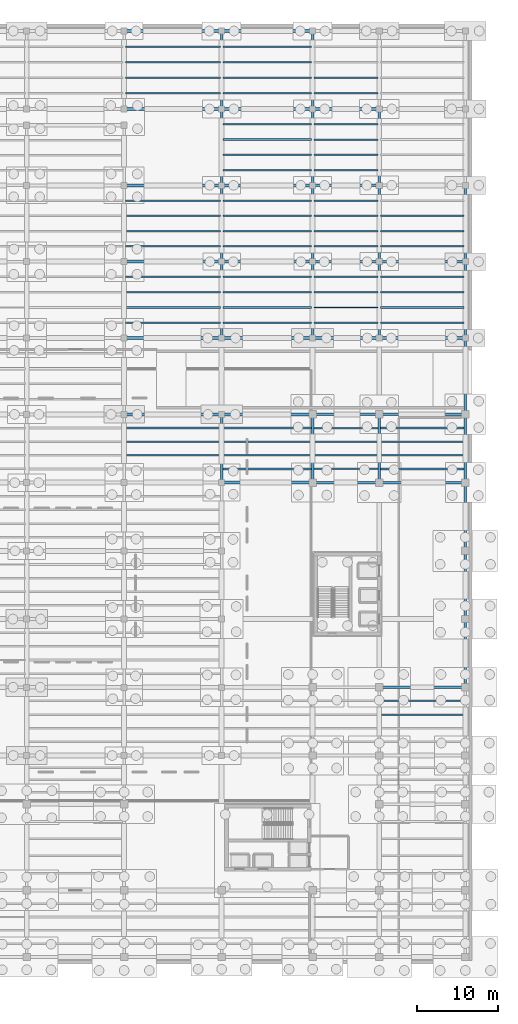
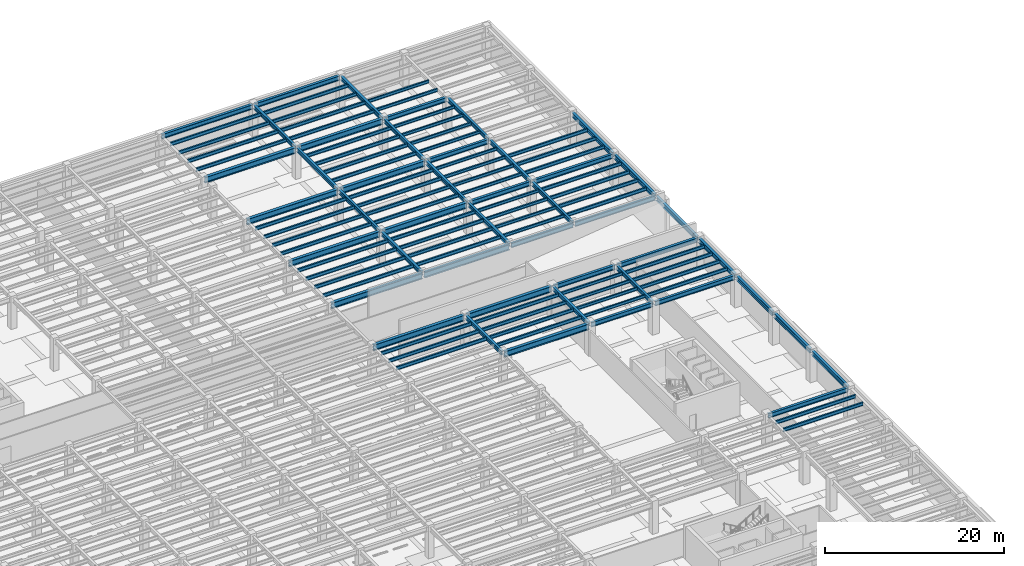
# One storey, part 27 of 49: 111 beams.
"""IFC4 building model written with IfcOpenShell, lengths in metres."""

from ifc_helpers import new_model, si_unit, direction, frame, origin, origin_2d, place, context, subcontext, project, spatial, i_section, extrude, material, material_profile, profile_set, type_object, element, save


model = new_model("IFC4")

# Units and contexts
model_context = context("Model", 3, precision=1e-05, world=origin(), true_north=direction((0.0, 1.0)))
body_context = subcontext(model_context, "Body", "Model", "MODEL_VIEW")
ifc_project = project(units=[si_unit("LENGTHUNIT", "METRE"), si_unit("AREAUNIT", "SQUARE_METRE"), si_unit("VOLUMEUNIT", "CUBIC_METRE"), si_unit("PLANEANGLEUNIT", "RADIAN"), si_unit("MASSUNIT", "GRAM", prefix="KILO")], contexts=[model_context])

# Site, building, storey
site_placement = place(None, origin())
site = spatial("IfcSite", under=ifc_project, at=site_placement, CompositionType="ELEMENT")
building_placement = place(site_placement, origin())
building = spatial("IfcBuilding", under=site, at=building_placement, Name="Sollismere Congress Hotel", CompositionType="ELEMENT")
storey_placement = place(building_placement, frame((0.0, 0.0, -4.5)))
storey = spatial("IfcBuildingStorey", under=building, at=storey_placement, Name="B1", CompositionType="ELEMENT", Elevation=-4.5)

# Beams
ifc_material = material(Name="Steel ASTM A992 Grade 50", Category="steel")
ifc_material_profile_1 = material_profile(ifc_material, i_section(OverallWidth=0.31494140625, OverallDepth=0.551025390625, WebThickness=0.01513671875, FlangeThickness=0.0244140625, at=origin_2d()), Name="W21X122")
ifc_profile_set_1 = profile_set([ifc_material_profile_1], Name="Steel ASTM A992 Grade 50")
beam_type_1 = type_object("IfcBeamType", Name="BM-G21H", PredefinedType="BEAM", material=ifc_profile_set_1)
beam_1_placement = place(storey_placement, frame((136.0, 58.5400390625, 3.924560546875), z_axis=(0.0, 1.0, 0.0), x_axis=(-1.0, 0.0, 0.0)))
element("IfcBeam", 1, at=beam_1_placement, inside=storey, type_object=beam_type_1, Name="Beam BM-B1-0426", PredefinedType="BEAM", context=body_context, shape_type="SweptSolid", body=[
    extrude(i_section(OverallWidth=0.31494140625, OverallDepth=0.551025390625, WebThickness=0.01513671875, FlangeThickness=0.0244140625, at=origin_2d()), origin(), (0.0, 0.0, 1.0), 8.119873046875),
])
beam_2_placement = place(storey_placement, frame((136.0, 76.340087890625, 3.924560546875), z_axis=(0.0, 1.0, 0.0), x_axis=(-1.0, 0.0, 0.0)))
element("IfcBeam", 2, at=beam_2_placement, inside=storey, type_object=beam_type_1, Name="Beam BM-B1-0427", PredefinedType="BEAM", context=body_context, shape_type="SweptSolid", body=[
    extrude(i_section(OverallWidth=0.31494140625, OverallDepth=0.551025390625, WebThickness=0.01513671875, FlangeThickness=0.0244140625, at=origin_2d()), origin(), (0.0, 0.0, 1.0), 9.119873046875),
])
for number, where, z_axis, x_axis, name in (
    (3, (136.0, 85.739990234375, 3.924560546875), (0.0, 1.0, 0.0), (-1.0, 0.0, 0.0), "Beam BM-B1-0428"),
    (4, (136.0, 95.139892578125, 3.924560546875), (0.0, 1.0, 0.0), (-1.0, 0.0, 0.0), "Beam BM-B1-0429"),
):
    element("IfcBeam", number, at=place(storey_placement, frame(where, z_axis=z_axis, x_axis=x_axis)), inside=storey, type_object=beam_type_1, Name=name, PredefinedType="BEAM", context=body_context, shape_type="SweptSolid", body=[
        extrude(i_section(OverallWidth=0.31494140625, OverallDepth=0.551025390625, WebThickness=0.01513671875, FlangeThickness=0.0244140625, at=origin_2d()), origin(), (0.0, 0.0, 1.0), 9.1201171875),
    ])
beam_3_placement = place(storey_placement, frame((136.0, 104.5400390625, 3.924560546875), z_axis=(0.0, 1.0, 0.0), x_axis=(-1.0, 0.0, 0.0)))
element("IfcBeam", 5, at=beam_3_placement, inside=storey, type_object=beam_type_1, Name="Beam BM-B1-0430", PredefinedType="BEAM", context=body_context, shape_type="SweptSolid", body=[
    extrude(i_section(OverallWidth=0.31494140625, OverallDepth=0.551025390625, WebThickness=0.01513671875, FlangeThickness=0.0244140625, at=origin_2d()), origin(), (0.0, 0.0, 1.0), 9.320068359375),
])
beam_4_placement = place(storey_placement, frame((147.199951171875, 58.5400390625, 3.924560546875), z_axis=(0.0, 1.0, 0.0), x_axis=(-1.0, 0.0, 0.0)))
element("IfcBeam", 6, at=beam_4_placement, inside=storey, type_object=beam_type_1, Name="Beam BM-B1-0433", PredefinedType="BEAM", context=body_context, shape_type="SweptSolid", body=[
    extrude(i_section(OverallWidth=0.31494140625, OverallDepth=0.551025390625, WebThickness=0.01513671875, FlangeThickness=0.0244140625, at=origin_2d()), origin(), (0.0, 0.0, 1.0), 8.119873046875),
])
beam_5_placement = place(storey_placement, frame((147.199951171875, 76.340087890625, 3.924560546875), z_axis=(0.0, 1.0, 0.0), x_axis=(-1.0, 0.0, 0.0)))
element("IfcBeam", 7, at=beam_5_placement, inside=storey, type_object=beam_type_1, Name="Beam BM-B1-0434", PredefinedType="BEAM", context=body_context, shape_type="SweptSolid", body=[
    extrude(i_section(OverallWidth=0.31494140625, OverallDepth=0.551025390625, WebThickness=0.01513671875, FlangeThickness=0.0244140625, at=origin_2d()), origin(), (0.0, 0.0, 1.0), 9.119873046875),
])
for number, where, z_axis, x_axis, name in (
    (8, (147.199951171875, 85.739990234375, 3.924560546875), (0.0, 1.0, 0.0), (-1.0, 0.0, 0.0), "Beam BM-B1-0435"),
    (9, (147.199951171875, 95.139892578125, 3.924560546875), (0.0, 1.0, 0.0), (-1.0, 0.0, 0.0), "Beam BM-B1-0436"),
):
    element("IfcBeam", number, at=place(storey_placement, frame(where, z_axis=z_axis, x_axis=x_axis)), inside=storey, type_object=beam_type_1, Name=name, PredefinedType="BEAM", context=body_context, shape_type="SweptSolid", body=[
        extrude(i_section(OverallWidth=0.31494140625, OverallDepth=0.551025390625, WebThickness=0.01513671875, FlangeThickness=0.0244140625, at=origin_2d()), origin(), (0.0, 0.0, 1.0), 9.1201171875),
    ])
beam_6_placement = place(storey_placement, frame((147.199951171875, 104.5400390625, 3.924560546875), z_axis=(0.0, 1.0, 0.0), x_axis=(-1.0, 0.0, 0.0)))
element("IfcBeam", 10, at=beam_6_placement, inside=storey, type_object=beam_type_1, Name="Beam BM-B1-0437", PredefinedType="BEAM", context=body_context, shape_type="SweptSolid", body=[
    extrude(i_section(OverallWidth=0.31494140625, OverallDepth=0.551025390625, WebThickness=0.01513671875, FlangeThickness=0.0244140625, at=origin_2d()), origin(), (0.0, 0.0, 1.0), 9.320068359375),
])
beam_7_placement = place(storey_placement, frame((155.39990234375, 58.5400390625, 3.924560546875), z_axis=(0.0, 1.0, 0.0), x_axis=(-1.0, 0.0, 0.0)))
element("IfcBeam", 11, at=beam_7_placement, inside=storey, type_object=beam_type_1, Name="Beam BM-B1-0442", PredefinedType="BEAM", context=body_context, shape_type="SweptSolid", body=[
    extrude(i_section(OverallWidth=0.31494140625, OverallDepth=0.551025390625, WebThickness=0.01513671875, FlangeThickness=0.0244140625, at=origin_2d()), origin(), (0.0, 0.0, 1.0), 8.119873046875),
])
beam_8_placement = place(storey_placement, frame((155.39990234375, 76.340087890625, 3.924560546875), z_axis=(0.0, 1.0, 0.0), x_axis=(-1.0, 0.0, 0.0)))
element("IfcBeam", 12, at=beam_8_placement, inside=storey, type_object=beam_type_1, Name="Beam BM-B1-0443", PredefinedType="BEAM", context=body_context, shape_type="SweptSolid", body=[
    extrude(i_section(OverallWidth=0.31494140625, OverallDepth=0.551025390625, WebThickness=0.01513671875, FlangeThickness=0.0244140625, at=origin_2d()), origin(), (0.0, 0.0, 1.0), 9.119873046875),
])
for number, where, z_axis, x_axis, name in (
    (13, (155.39990234375, 85.739990234375, 3.924560546875), (0.0, 1.0, 0.0), (-1.0, 0.0, 0.0), "Beam BM-B1-0444"),
    (14, (155.39990234375, 95.139892578125, 3.924560546875), (0.0, 1.0, 0.0), (-1.0, 0.0, 0.0), "Beam BM-B1-0445"),
):
    element("IfcBeam", number, at=place(storey_placement, frame(where, z_axis=z_axis, x_axis=x_axis)), inside=storey, type_object=beam_type_1, Name=name, PredefinedType="BEAM", context=body_context, shape_type="SweptSolid", body=[
        extrude(i_section(OverallWidth=0.31494140625, OverallDepth=0.551025390625, WebThickness=0.01513671875, FlangeThickness=0.0244140625, at=origin_2d()), origin(), (0.0, 0.0, 1.0), 9.1201171875),
    ])
ifc_material_profile_2 = material_profile(ifc_material, i_section(OverallWidth=0.324951171875, OverallDepth=0.612060546875, WebThickness=0.0126953125, FlangeThickness=0.01904296875, at=origin_2d()), Name="W24X104")
ifc_profile_set_2 = profile_set([ifc_material_profile_2], Name="Steel ASTM A992 Grade 50")
beam_type_2 = type_object("IfcBeamType", Name="BM-G24", PredefinedType="BEAM", material=ifc_profile_set_2)
beam_9_placement = place(storey_placement, frame((155.5400390625, 33.199951171875, 3.89404296875), z_axis=(1.0, 0.0, 0.0), x_axis=(0.0, 1.0, 0.0)))
element("IfcBeam", 15, at=beam_9_placement, inside=storey, type_object=beam_type_2, Name="Beam BM-B1-0081", PredefinedType="BEAM", context=body_context, shape_type="SweptSolid", body=[
    extrude(i_section(OverallWidth=0.324951171875, OverallDepth=0.612060546875, WebThickness=0.0126953125, FlangeThickness=0.01904296875, at=origin_2d()), origin(), (0.0, 0.0, 1.0), 10.320068359375),
])
beam_10_placement = place(storey_placement, frame((147.340087890625, 58.39990234375, 3.89404296875), z_axis=(1.0, 0.0, 0.0), x_axis=(0.0, 1.0, 0.0)))
element("IfcBeam", 16, at=beam_10_placement, inside=storey, type_object=beam_type_2, Name="Beam BM-B1-0125", PredefinedType="BEAM", context=body_context, shape_type="SweptSolid", body=[
    extrude(i_section(OverallWidth=0.324951171875, OverallDepth=0.612060546875, WebThickness=0.0126953125, FlangeThickness=0.01904296875, at=origin_2d()), origin(), (0.0, 0.0, 1.0), 7.919921875),
])
beam_11_placement = place(storey_placement, frame((155.5400390625, 58.39990234375, 3.89404296875), z_axis=(1.0, 0.0, 0.0), x_axis=(0.0, 1.0, 0.0)))
element("IfcBeam", 17, at=beam_11_placement, inside=storey, type_object=beam_type_2, Name="Beam BM-B1-0126", PredefinedType="BEAM", context=body_context, shape_type="SweptSolid", body=[
    extrude(i_section(OverallWidth=0.324951171875, OverallDepth=0.612060546875, WebThickness=0.0126953125, FlangeThickness=0.01904296875, at=origin_2d()), origin(), (0.0, 0.0, 1.0), 10.320068359375),
])
beam_12_placement = place(storey_placement, frame((147.340087890625, 66.800048828125, 3.89404296875), z_axis=(1.0, 0.0, 0.0), x_axis=(0.0, 1.0, 0.0)))
element("IfcBeam", 18, at=beam_12_placement, inside=storey, type_object=beam_type_2, Name="Beam BM-B1-0141", PredefinedType="BEAM", context=body_context, shape_type="SweptSolid", body=[
    extrude(i_section(OverallWidth=0.324951171875, OverallDepth=0.612060546875, WebThickness=0.0126953125, FlangeThickness=0.01904296875, at=origin_2d()), origin(), (0.0, 0.0, 1.0), 7.919921875),
])
beam_13_placement = place(storey_placement, frame((155.5400390625, 66.800048828125, 3.89404296875), z_axis=(1.0, 0.0, 0.0), x_axis=(0.0, 1.0, 0.0)))
element("IfcBeam", 19, at=beam_13_placement, inside=storey, type_object=beam_type_2, Name="Beam BM-B1-0142", PredefinedType="BEAM", context=body_context, shape_type="SweptSolid", body=[
    extrude(i_section(OverallWidth=0.324951171875, OverallDepth=0.612060546875, WebThickness=0.0126953125, FlangeThickness=0.01904296875, at=origin_2d()), origin(), (0.0, 0.0, 1.0), 10.320068359375),
])
beam_14_placement = place(storey_placement, frame((147.340087890625, 76.199951171875, 3.89404296875), z_axis=(1.0, 0.0, 0.0), x_axis=(0.0, 1.0, 0.0)))
element("IfcBeam", 20, at=beam_14_placement, inside=storey, type_object=beam_type_2, Name="Beam BM-B1-0155", PredefinedType="BEAM", context=body_context, shape_type="SweptSolid", body=[
    extrude(i_section(OverallWidth=0.324951171875, OverallDepth=0.612060546875, WebThickness=0.0126953125, FlangeThickness=0.01904296875, at=origin_2d()), origin(), (0.0, 0.0, 1.0), 7.919921875),
])
beam_15_placement = place(storey_placement, frame((155.5400390625, 76.199951171875, 3.89404296875), z_axis=(1.0, 0.0, 0.0), x_axis=(0.0, 1.0, 0.0)))
element("IfcBeam", 21, at=beam_15_placement, inside=storey, type_object=beam_type_2, Name="Beam BM-B1-0156", PredefinedType="BEAM", context=body_context, shape_type="SweptSolid", body=[
    extrude(i_section(OverallWidth=0.324951171875, OverallDepth=0.612060546875, WebThickness=0.0126953125, FlangeThickness=0.01904296875, at=origin_2d()), origin(), (0.0, 0.0, 1.0), 10.320068359375),
])
beam_16_placement = place(storey_placement, frame((147.340087890625, 85.60009765625, 3.89404296875), z_axis=(1.0, 0.0, 0.0), x_axis=(0.0, 1.0, 0.0)))
element("IfcBeam", 22, at=beam_16_placement, inside=storey, type_object=beam_type_2, Name="Beam BM-B1-0171", PredefinedType="BEAM", context=body_context, shape_type="SweptSolid", body=[
    extrude(i_section(OverallWidth=0.324951171875, OverallDepth=0.612060546875, WebThickness=0.0126953125, FlangeThickness=0.01904296875, at=origin_2d()), origin(), (0.0, 0.0, 1.0), 7.919921875),
])
beam_17_placement = place(storey_placement, frame((155.5400390625, 85.60009765625, 3.89404296875), z_axis=(1.0, 0.0, 0.0), x_axis=(0.0, 1.0, 0.0)))
element("IfcBeam", 23, at=beam_17_placement, inside=storey, type_object=beam_type_2, Name="Beam BM-B1-0172", PredefinedType="BEAM", context=body_context, shape_type="SweptSolid", body=[
    extrude(i_section(OverallWidth=0.324951171875, OverallDepth=0.612060546875, WebThickness=0.0126953125, FlangeThickness=0.01904296875, at=origin_2d()), origin(), (0.0, 0.0, 1.0), 10.320068359375),
])
for number, where, z_axis, x_axis, name in (
    (24, (147.340087890625, 95.0, 3.89404296875), (1.0, 0.0, 0.0), (0.0, 1.0, 0.0), "Beam BM-B1-0190"),
    (25, (147.340087890625, 104.39990234375, 3.89404296875), (1.0, 0.0, 0.0), (0.0, 1.0, 0.0), "Beam BM-B1-0206"),
):
    element("IfcBeam", number, at=place(storey_placement, frame(where, z_axis=z_axis, x_axis=x_axis)), inside=storey, type_object=beam_type_2, Name=name, PredefinedType="BEAM", context=body_context, shape_type="SweptSolid", body=[
        extrude(i_section(OverallWidth=0.324951171875, OverallDepth=0.612060546875, WebThickness=0.0126953125, FlangeThickness=0.01904296875, at=origin_2d()), origin(), (0.0, 0.0, 1.0), 7.919921875),
    ])
ifc_material_profile_3 = material_profile(ifc_material, i_section(OverallWidth=0.384033203125, OverallDepth=0.787109375, WebThickness=0.019775390625, FlangeThickness=0.033447265625, at=origin_2d()), Name="W30X211")
ifc_profile_set_3 = profile_set([ifc_material_profile_3], Name="Steel ASTM A992 Grade 50")
beam_type_3 = type_object("IfcBeamType", Name="BM-G30", PredefinedType="BEAM", material=ifc_profile_set_3)
beam_18_placement = place(storey_placement, frame((136.139892578125, 58.39990234375, 3.806396484375), z_axis=(1.0, 0.0, 0.0), x_axis=(0.0, 1.0, 0.0)))
element("IfcBeam", 26, at=beam_18_placement, inside=storey, type_object=beam_type_3, Name="Beam BM-B1-0124", PredefinedType="BEAM", context=body_context, shape_type="SweptSolid", body=[
    extrude(i_section(OverallWidth=0.384033203125, OverallDepth=0.787109375, WebThickness=0.019775390625, FlangeThickness=0.033447265625, at=origin_2d()), origin(), (0.0, 0.0, 1.0), 10.920166015625),
])
beam_19_placement = place(storey_placement, frame((124.139892578125, 66.800048828125, 3.806396484375), z_axis=(1.0, 0.0, 0.0), x_axis=(0.0, 1.0, 0.0)))
element("IfcBeam", 27, at=beam_19_placement, inside=storey, type_object=beam_type_3, Name="Beam BM-B1-0139", PredefinedType="BEAM", context=body_context, shape_type="SweptSolid", body=[
    extrude(i_section(OverallWidth=0.384033203125, OverallDepth=0.787109375, WebThickness=0.019775390625, FlangeThickness=0.033447265625, at=origin_2d()), origin(), (0.0, 0.0, 1.0), 11.72021484375),
])
beam_20_placement = place(storey_placement, frame((136.139892578125, 66.800048828125, 3.806396484375), z_axis=(1.0, 0.0, 0.0), x_axis=(0.0, 1.0, 0.0)))
element("IfcBeam", 28, at=beam_20_placement, inside=storey, type_object=beam_type_3, Name="Beam BM-B1-0140", PredefinedType="BEAM", context=body_context, shape_type="SweptSolid", body=[
    extrude(i_section(OverallWidth=0.384033203125, OverallDepth=0.787109375, WebThickness=0.019775390625, FlangeThickness=0.033447265625, at=origin_2d()), origin(), (0.0, 0.0, 1.0), 10.920166015625),
])
beam_21_placement = place(storey_placement, frame((124.139892578125, 76.199951171875, 3.806396484375), z_axis=(1.0, 0.0, 0.0), x_axis=(0.0, 1.0, 0.0)))
element("IfcBeam", 29, at=beam_21_placement, inside=storey, type_object=beam_type_3, Name="Beam BM-B1-0153", PredefinedType="BEAM", context=body_context, shape_type="SweptSolid", body=[
    extrude(i_section(OverallWidth=0.384033203125, OverallDepth=0.787109375, WebThickness=0.019775390625, FlangeThickness=0.033447265625, at=origin_2d()), origin(), (0.0, 0.0, 1.0), 11.72021484375),
])
beam_22_placement = place(storey_placement, frame((136.139892578125, 76.199951171875, 3.806396484375), z_axis=(1.0, 0.0, 0.0), x_axis=(0.0, 1.0, 0.0)))
element("IfcBeam", 30, at=beam_22_placement, inside=storey, type_object=beam_type_3, Name="Beam BM-B1-0154", PredefinedType="BEAM", context=body_context, shape_type="SweptSolid", body=[
    extrude(i_section(OverallWidth=0.384033203125, OverallDepth=0.787109375, WebThickness=0.019775390625, FlangeThickness=0.033447265625, at=origin_2d()), origin(), (0.0, 0.0, 1.0), 10.920166015625),
])
beam_23_placement = place(storey_placement, frame((124.139892578125, 85.60009765625, 3.806396484375), z_axis=(1.0, 0.0, 0.0), x_axis=(0.0, 1.0, 0.0)))
element("IfcBeam", 31, at=beam_23_placement, inside=storey, type_object=beam_type_3, Name="Beam BM-B1-0169", PredefinedType="BEAM", context=body_context, shape_type="SweptSolid", body=[
    extrude(i_section(OverallWidth=0.384033203125, OverallDepth=0.787109375, WebThickness=0.019775390625, FlangeThickness=0.033447265625, at=origin_2d()), origin(), (0.0, 0.0, 1.0), 11.72021484375),
])
beam_24_placement = place(storey_placement, frame((136.139892578125, 85.60009765625, 3.806396484375), z_axis=(1.0, 0.0, 0.0), x_axis=(0.0, 1.0, 0.0)))
element("IfcBeam", 32, at=beam_24_placement, inside=storey, type_object=beam_type_3, Name="Beam BM-B1-0170", PredefinedType="BEAM", context=body_context, shape_type="SweptSolid", body=[
    extrude(i_section(OverallWidth=0.384033203125, OverallDepth=0.787109375, WebThickness=0.019775390625, FlangeThickness=0.033447265625, at=origin_2d()), origin(), (0.0, 0.0, 1.0), 10.920166015625),
])
beam_25_placement = place(storey_placement, frame((124.139892578125, 95.0, 3.806396484375), z_axis=(1.0, 0.0, 0.0), x_axis=(0.0, 1.0, 0.0)))
element("IfcBeam", 33, at=beam_25_placement, inside=storey, type_object=beam_type_3, Name="Beam BM-B1-0188", PredefinedType="BEAM", context=body_context, shape_type="SweptSolid", body=[
    extrude(i_section(OverallWidth=0.384033203125, OverallDepth=0.787109375, WebThickness=0.019775390625, FlangeThickness=0.033447265625, at=origin_2d()), origin(), (0.0, 0.0, 1.0), 11.72021484375),
])
beam_26_placement = place(storey_placement, frame((136.139892578125, 95.0, 3.806396484375), z_axis=(1.0, 0.0, 0.0), x_axis=(0.0, 1.0, 0.0)))
element("IfcBeam", 34, at=beam_26_placement, inside=storey, type_object=beam_type_3, Name="Beam BM-B1-0189", PredefinedType="BEAM", context=body_context, shape_type="SweptSolid", body=[
    extrude(i_section(OverallWidth=0.384033203125, OverallDepth=0.787109375, WebThickness=0.019775390625, FlangeThickness=0.033447265625, at=origin_2d()), origin(), (0.0, 0.0, 1.0), 10.920166015625),
])
beam_27_placement = place(storey_placement, frame((124.139892578125, 104.39990234375, 3.806396484375), z_axis=(1.0, 0.0, 0.0), x_axis=(0.0, 1.0, 0.0)))
element("IfcBeam", 35, at=beam_27_placement, inside=storey, type_object=beam_type_3, Name="Beam BM-B1-0204", PredefinedType="BEAM", context=body_context, shape_type="SweptSolid", body=[
    extrude(i_section(OverallWidth=0.384033203125, OverallDepth=0.787109375, WebThickness=0.019775390625, FlangeThickness=0.033447265625, at=origin_2d()), origin(), (0.0, 0.0, 1.0), 11.72021484375),
])
beam_28_placement = place(storey_placement, frame((136.139892578125, 104.39990234375, 3.806396484375), z_axis=(1.0, 0.0, 0.0), x_axis=(0.0, 1.0, 0.0)))
element("IfcBeam", 36, at=beam_28_placement, inside=storey, type_object=beam_type_3, Name="Beam BM-B1-0205", PredefinedType="BEAM", context=body_context, shape_type="SweptSolid", body=[
    extrude(i_section(OverallWidth=0.384033203125, OverallDepth=0.787109375, WebThickness=0.019775390625, FlangeThickness=0.033447265625, at=origin_2d()), origin(), (0.0, 0.0, 1.0), 10.920166015625),
])
ifc_material_profile_4 = material_profile(ifc_material, i_section(OverallWidth=0.180908203125, OverallDepth=0.4169921875, WebThickness=0.010986328125, FlangeThickness=0.018310546875, at=origin_2d()), Name="W16X57")
ifc_profile_set_4 = profile_set([ifc_material_profile_4], Name="Steel ASTM A992 Grade 50")
beam_type_4 = type_object("IfcBeamType", Name="BM-J16", PredefinedType="JOIST", material=ifc_profile_set_4)
for number, where, z_axis, x_axis, name in (
    (37, (147.357421875, 60.080078125, 3.991455078125), (1.0, 0.0, 0.0), (0.0, 1.0, 0.0), "Beam BM-B1-1069"),
    (38, (147.357421875, 61.760009765625, 3.991455078125), (1.0, 0.0, 0.0), (0.0, 1.0, 0.0), "Beam BM-B1-1070"),
    (39, (147.357421875, 63.43994140625, 3.991455078125), (1.0, 0.0, 0.0), (0.0, 1.0, 0.0), "Beam BM-B1-1071"),
    (40, (147.357421875, 65.1201171875, 3.991455078125), (1.0, 0.0, 0.0), (0.0, 1.0, 0.0), "Beam BM-B1-1072"),
    (41, (147.357421875, 78.080078125, 3.991455078125), (1.0, 0.0, 0.0), (0.0, 1.0, 0.0), "Beam BM-B1-1073"),
    (42, (147.357421875, 79.9599609375, 3.991455078125), (1.0, 0.0, 0.0), (0.0, 1.0, 0.0), "Beam BM-B1-1074"),
    (43, (147.357421875, 81.840087890625, 3.991455078125), (1.0, 0.0, 0.0), (0.0, 1.0, 0.0), "Beam BM-B1-1075"),
    (44, (147.357421875, 83.719970703125, 3.991455078125), (1.0, 0.0, 0.0), (0.0, 1.0, 0.0), "Beam BM-B1-1076"),
    (45, (147.357421875, 87.47998046875, 3.991455078125), (1.0, 0.0, 0.0), (0.0, 1.0, 0.0), "Beam BM-B1-1077"),
    (46, (147.357421875, 89.360107421875, 3.991455078125), (1.0, 0.0, 0.0), (0.0, 1.0, 0.0), "Beam BM-B1-1078"),
    (47, (147.357421875, 91.239990234375, 3.991455078125), (1.0, 0.0, 0.0), (0.0, 1.0, 0.0), "Beam BM-B1-1079"),
    (48, (147.357421875, 93.1201171875, 3.991455078125), (1.0, 0.0, 0.0), (0.0, 1.0, 0.0), "Beam BM-B1-1080"),
    (49, (147.357421875, 96.8798828125, 3.991455078125), (1.0, 0.0, 0.0), (0.0, 1.0, 0.0), "Beam BM-B1-1081"),
    (50, (147.357421875, 98.760009765625, 3.991455078125), (1.0, 0.0, 0.0), (0.0, 1.0, 0.0), "Beam BM-B1-1082"),
    (51, (147.357421875, 100.639892578125, 3.991455078125), (1.0, 0.0, 0.0), (0.0, 1.0, 0.0), "Beam BM-B1-1083"),
    (52, (147.357421875, 102.52001953125, 3.991455078125), (1.0, 0.0, 0.0), (0.0, 1.0, 0.0), "Beam BM-B1-1084"),
    (53, (147.357421875, 106.320068359375, 3.991455078125), (1.0, 0.0, 0.0), (0.0, 1.0, 0.0), "Beam BM-B1-1085"),
    (54, (147.357421875, 108.239990234375, 3.991455078125), (1.0, 0.0, 0.0), (0.0, 1.0, 0.0), "Beam BM-B1-1086"),
):
    element("IfcBeam", number, at=place(storey_placement, frame(where, z_axis=z_axis, x_axis=x_axis)), inside=storey, type_object=beam_type_4, Name=name, PredefinedType="JOIST", context=body_context, shape_type="SweptSolid", body=[
        extrude(i_section(OverallWidth=0.180908203125, OverallDepth=0.4169921875, WebThickness=0.010986328125, FlangeThickness=0.018310546875, at=origin_2d()), origin(), (0.0, 0.0, 1.0), 7.885009765625),
    ])
ifc_material_profile_5 = material_profile(ifc_material, i_section(OverallWidth=0.193115234375, OverallDepth=0.467041015625, WebThickness=0.011474609375, FlangeThickness=0.01904296875, at=origin_2d()), Name="W18X65")
ifc_profile_set_5 = profile_set([ifc_material_profile_5], Name="Steel ASTM A992 Grade 50")
beam_type_5 = type_object("IfcBeamType", Name="BM-J18", PredefinedType="JOIST", material=ifc_profile_set_5)
for number, where, z_axis, x_axis, name in (
    (55, (124.157470703125, 61.760009765625, 3.966552734375), (1.0, 0.0, 0.0), (0.0, 1.0, 0.0), "Beam BM-B1-1018"),
    (56, (124.157470703125, 63.43994140625, 3.966552734375), (1.0, 0.0, 0.0), (0.0, 1.0, 0.0), "Beam BM-B1-1019"),
    (57, (124.157470703125, 65.1201171875, 3.966552734375), (1.0, 0.0, 0.0), (0.0, 1.0, 0.0), "Beam BM-B1-1020"),
    (58, (124.157470703125, 78.080078125, 3.966552734375), (1.0, 0.0, 0.0), (0.0, 1.0, 0.0), "Beam BM-B1-1021"),
    (59, (124.157470703125, 79.9599609375, 3.966552734375), (1.0, 0.0, 0.0), (0.0, 1.0, 0.0), "Beam BM-B1-1022"),
    (60, (124.157470703125, 81.840087890625, 3.966552734375), (1.0, 0.0, 0.0), (0.0, 1.0, 0.0), "Beam BM-B1-1023"),
    (61, (124.157470703125, 83.719970703125, 3.966552734375), (1.0, 0.0, 0.0), (0.0, 1.0, 0.0), "Beam BM-B1-1024"),
    (62, (124.157470703125, 87.47998046875, 3.966552734375), (1.0, 0.0, 0.0), (0.0, 1.0, 0.0), "Beam BM-B1-1025"),
    (63, (124.157470703125, 89.360107421875, 3.966552734375), (1.0, 0.0, 0.0), (0.0, 1.0, 0.0), "Beam BM-B1-1026"),
    (64, (124.157470703125, 91.239990234375, 3.966552734375), (1.0, 0.0, 0.0), (0.0, 1.0, 0.0), "Beam BM-B1-1027"),
    (65, (124.157470703125, 93.1201171875, 3.966552734375), (1.0, 0.0, 0.0), (0.0, 1.0, 0.0), "Beam BM-B1-1028"),
    (66, (124.157470703125, 106.320068359375, 3.966552734375), (1.0, 0.0, 0.0), (0.0, 1.0, 0.0), "Beam BM-B1-1029"),
    (67, (124.157470703125, 108.239990234375, 3.966552734375), (1.0, 0.0, 0.0), (0.0, 1.0, 0.0), "Beam BM-B1-1030"),
    (68, (124.157470703125, 110.159912109375, 3.966552734375), (1.0, 0.0, 0.0), (0.0, 1.0, 0.0), "Beam BM-B1-1031"),
    (69, (124.157470703125, 112.080078125, 3.966552734375), (1.0, 0.0, 0.0), (0.0, 1.0, 0.0), "Beam BM-B1-1032"),
):
    element("IfcBeam", number, at=place(storey_placement, frame(where, z_axis=z_axis, x_axis=x_axis)), inside=storey, type_object=beam_type_5, Name=name, PredefinedType="JOIST", context=body_context, shape_type="SweptSolid", body=[
        extrude(i_section(OverallWidth=0.193115234375, OverallDepth=0.467041015625, WebThickness=0.011474609375, FlangeThickness=0.01904296875, at=origin_2d()), origin(), (0.0, 0.0, 1.0), 11.68505859375),
    ])
for number, where, z_axis, x_axis, name in (
    (70, (136.157470703125, 60.080078125, 3.966552734375), (1.0, 0.0, 0.0), (0.0, 1.0, 0.0), "Beam BM-B1-1041"),
    (71, (136.157470703125, 61.760009765625, 3.966552734375), (1.0, 0.0, 0.0), (0.0, 1.0, 0.0), "Beam BM-B1-1042"),
    (72, (136.157470703125, 63.43994140625, 3.966552734375), (1.0, 0.0, 0.0), (0.0, 1.0, 0.0), "Beam BM-B1-1043"),
    (73, (136.157470703125, 65.1201171875, 3.966552734375), (1.0, 0.0, 0.0), (0.0, 1.0, 0.0), "Beam BM-B1-1044"),
    (74, (136.157470703125, 78.080078125, 3.966552734375), (1.0, 0.0, 0.0), (0.0, 1.0, 0.0), "Beam BM-B1-1045"),
    (75, (136.157470703125, 79.9599609375, 3.966552734375), (1.0, 0.0, 0.0), (0.0, 1.0, 0.0), "Beam BM-B1-1046"),
    (76, (136.157470703125, 81.840087890625, 3.966552734375), (1.0, 0.0, 0.0), (0.0, 1.0, 0.0), "Beam BM-B1-1047"),
    (77, (136.157470703125, 83.719970703125, 3.966552734375), (1.0, 0.0, 0.0), (0.0, 1.0, 0.0), "Beam BM-B1-1048"),
    (78, (136.157470703125, 87.47998046875, 3.966552734375), (1.0, 0.0, 0.0), (0.0, 1.0, 0.0), "Beam BM-B1-1049"),
    (79, (136.157470703125, 89.360107421875, 3.966552734375), (1.0, 0.0, 0.0), (0.0, 1.0, 0.0), "Beam BM-B1-1050"),
    (80, (136.157470703125, 91.239990234375, 3.966552734375), (1.0, 0.0, 0.0), (0.0, 1.0, 0.0), "Beam BM-B1-1051"),
    (81, (136.157470703125, 93.1201171875, 3.966552734375), (1.0, 0.0, 0.0), (0.0, 1.0, 0.0), "Beam BM-B1-1052"),
    (82, (136.157470703125, 96.8798828125, 3.966552734375), (1.0, 0.0, 0.0), (0.0, 1.0, 0.0), "Beam BM-B1-1053"),
    (83, (136.157470703125, 98.760009765625, 3.966552734375), (1.0, 0.0, 0.0), (0.0, 1.0, 0.0), "Beam BM-B1-1054"),
    (84, (136.157470703125, 100.639892578125, 3.966552734375), (1.0, 0.0, 0.0), (0.0, 1.0, 0.0), "Beam BM-B1-1055"),
    (85, (136.157470703125, 102.52001953125, 3.966552734375), (1.0, 0.0, 0.0), (0.0, 1.0, 0.0), "Beam BM-B1-1056"),
    (86, (136.157470703125, 106.320068359375, 3.966552734375), (1.0, 0.0, 0.0), (0.0, 1.0, 0.0), "Beam BM-B1-1057"),
    (87, (136.157470703125, 108.239990234375, 3.966552734375), (1.0, 0.0, 0.0), (0.0, 1.0, 0.0), "Beam BM-B1-1058"),
    (88, (136.157470703125, 110.159912109375, 3.966552734375), (1.0, 0.0, 0.0), (0.0, 1.0, 0.0), "Beam BM-B1-1059"),
    (89, (136.157470703125, 112.080078125, 3.966552734375), (1.0, 0.0, 0.0), (0.0, 1.0, 0.0), "Beam BM-B1-1060"),
):
    element("IfcBeam", number, at=place(storey_placement, frame(where, z_axis=z_axis, x_axis=x_axis)), inside=storey, type_object=beam_type_5, Name=name, PredefinedType="JOIST", context=body_context, shape_type="SweptSolid", body=[
        extrude(i_section(OverallWidth=0.193115234375, OverallDepth=0.467041015625, WebThickness=0.011474609375, FlangeThickness=0.01904296875, at=origin_2d()), origin(), (0.0, 0.0, 1.0), 10.885009765625),
    ])
for number, where, z_axis, x_axis, name in (
    (90, (155.5576171875, 29.840087890625, 3.966552734375), (1.0, 0.0, 0.0), (0.0, 1.0, 0.0), "Beam BM-B1-1102"),
    (91, (155.5576171875, 31.52001953125, 3.966552734375), (1.0, 0.0, 0.0), (0.0, 1.0, 0.0), "Beam BM-B1-1103"),
    (92, (155.5576171875, 60.080078125, 3.966552734375), (1.0, 0.0, 0.0), (0.0, 1.0, 0.0), "Beam BM-B1-1104"),
    (93, (155.5576171875, 61.760009765625, 3.966552734375), (1.0, 0.0, 0.0), (0.0, 1.0, 0.0), "Beam BM-B1-1105"),
    (94, (155.5576171875, 63.43994140625, 3.966552734375), (1.0, 0.0, 0.0), (0.0, 1.0, 0.0), "Beam BM-B1-1106"),
    (95, (155.5576171875, 65.1201171875, 3.966552734375), (1.0, 0.0, 0.0), (0.0, 1.0, 0.0), "Beam BM-B1-1107"),
    (96, (155.5576171875, 78.080078125, 3.966552734375), (1.0, 0.0, 0.0), (0.0, 1.0, 0.0), "Beam BM-B1-1108"),
    (97, (155.5576171875, 79.9599609375, 3.966552734375), (1.0, 0.0, 0.0), (0.0, 1.0, 0.0), "Beam BM-B1-1109"),
    (98, (155.5576171875, 81.840087890625, 3.966552734375), (1.0, 0.0, 0.0), (0.0, 1.0, 0.0), "Beam BM-B1-1110"),
    (99, (155.5576171875, 83.719970703125, 3.966552734375), (1.0, 0.0, 0.0), (0.0, 1.0, 0.0), "Beam BM-B1-1111"),
    (100, (155.5576171875, 87.47998046875, 3.966552734375), (1.0, 0.0, 0.0), (0.0, 1.0, 0.0), "Beam BM-B1-1112"),
    (101, (155.5576171875, 89.360107421875, 3.966552734375), (1.0, 0.0, 0.0), (0.0, 1.0, 0.0), "Beam BM-B1-1113"),
    (102, (155.5576171875, 91.239990234375, 3.966552734375), (1.0, 0.0, 0.0), (0.0, 1.0, 0.0), "Beam BM-B1-1114"),
):
    element("IfcBeam", number, at=place(storey_placement, frame(where, z_axis=z_axis, x_axis=x_axis)), inside=storey, type_object=beam_type_5, Name=name, PredefinedType="JOIST", context=body_context, shape_type="SweptSolid", body=[
        extrude(i_section(OverallWidth=0.193115234375, OverallDepth=0.467041015625, WebThickness=0.011474609375, FlangeThickness=0.01904296875, at=origin_2d()), origin(), (0.0, 0.0, 1.0), 10.27734375),
    ])
ifc_material_profile_6 = material_profile(ifc_material, i_section(OverallWidth=0.330078125, OverallDepth=0.635009765625, WebThickness=0.017822265625, FlangeThickness=0.031005859375, at=origin_2d()), Name="W24X162")
ifc_profile_set_6 = profile_set([ifc_material_profile_6], Name="Steel ASTM A992 Grade 50")
beam_type_6 = type_object("IfcBeamType", Name="BM-SP24E", PredefinedType="SPANDREL", material=ifc_profile_set_6)
beam_29_placement = place(storey_placement, frame((124.139892578125, 114.0, 3.882568359375), z_axis=(1.0, 0.0, 0.0), x_axis=(0.0, 1.0, 0.0)))
element("IfcBeam", 103, at=beam_29_placement, inside=storey, type_object=beam_type_6, Name="Beam BM-B1-0222", PredefinedType="SPANDREL", context=body_context, shape_type="SweptSolid", body=[
    extrude(i_section(OverallWidth=0.330078125, OverallDepth=0.635009765625, WebThickness=0.017822265625, FlangeThickness=0.031005859375, at=origin_2d()), origin(), (0.0, 0.0, 1.0), 11.72021484375),
])
beam_30_placement = place(storey_placement, frame((136.139892578125, 114.0, 3.882568359375), z_axis=(1.0, 0.0, 0.0), x_axis=(0.0, 1.0, 0.0)))
element("IfcBeam", 104, at=beam_30_placement, inside=storey, type_object=beam_type_6, Name="Beam BM-B1-0223", PredefinedType="SPANDREL", context=body_context, shape_type="SweptSolid", body=[
    extrude(i_section(OverallWidth=0.330078125, OverallDepth=0.635009765625, WebThickness=0.017822265625, FlangeThickness=0.031005859375, at=origin_2d()), origin(), (0.0, 0.0, 1.0), 10.920166015625),
])
beam_31_placement = place(storey_placement, frame((166.0, 33.340087890625, 3.882568359375), z_axis=(0.0, 1.0, 0.0), x_axis=(-1.0, 0.0, 0.0)))
element("IfcBeam", 105, at=beam_31_placement, inside=storey, type_object=beam_type_6, Name="Beam BM-B1-0451", PredefinedType="SPANDREL", context=body_context, shape_type="SweptSolid", body=[
    extrude(i_section(OverallWidth=0.330078125, OverallDepth=0.635009765625, WebThickness=0.017822265625, FlangeThickness=0.031005859375, at=origin_2d()), origin(), (0.0, 0.0, 1.0), 8.119873046875),
])
for number, where, z_axis, x_axis, name in (
    (106, (166.0, 41.739990234375, 3.882568359375), (0.0, 1.0, 0.0), (-1.0, 0.0, 0.0), "Beam BM-B1-0452"),
    (107, (166.0, 50.139892578125, 3.882568359375), (0.0, 1.0, 0.0), (-1.0, 0.0, 0.0), "Beam BM-B1-0453"),
):
    element("IfcBeam", number, at=place(storey_placement, frame(where, z_axis=z_axis, x_axis=x_axis)), inside=storey, type_object=beam_type_6, Name=name, PredefinedType="SPANDREL", context=body_context, shape_type="SweptSolid", body=[
        extrude(i_section(OverallWidth=0.330078125, OverallDepth=0.635009765625, WebThickness=0.017822265625, FlangeThickness=0.031005859375, at=origin_2d()), origin(), (0.0, 0.0, 1.0), 8.1201171875),
    ])
beam_32_placement = place(storey_placement, frame((166.0, 58.5400390625, 3.882568359375), z_axis=(0.0, 1.0, 0.0), x_axis=(-1.0, 0.0, 0.0)))
element("IfcBeam", 108, at=beam_32_placement, inside=storey, type_object=beam_type_6, Name="Beam BM-B1-0454", PredefinedType="SPANDREL", context=body_context, shape_type="SweptSolid", body=[
    extrude(i_section(OverallWidth=0.330078125, OverallDepth=0.635009765625, WebThickness=0.017822265625, FlangeThickness=0.031005859375, at=origin_2d()), origin(), (0.0, 0.0, 1.0), 8.119873046875),
])
beam_33_placement = place(storey_placement, frame((166.0, 66.93994140625, 3.882568359375), z_axis=(0.0, 1.0, 0.0), x_axis=(-1.0, 0.0, 0.0)))
element("IfcBeam", 109, at=beam_33_placement, inside=storey, type_object=beam_type_6, Name="Beam BM-B1-0455", PredefinedType="SPANDREL", context=body_context, shape_type="SweptSolid", body=[
    extrude(i_section(OverallWidth=0.330078125, OverallDepth=0.635009765625, WebThickness=0.017822265625, FlangeThickness=0.031005859375, at=origin_2d()), origin(), (0.0, 0.0, 1.0), 9.1201171875),
])
beam_34_placement = place(storey_placement, frame((166.0, 76.340087890625, 3.882568359375), z_axis=(0.0, 1.0, 0.0), x_axis=(-1.0, 0.0, 0.0)))
element("IfcBeam", 110, at=beam_34_placement, inside=storey, type_object=beam_type_6, Name="Beam BM-B1-0456", PredefinedType="SPANDREL", context=body_context, shape_type="SweptSolid", body=[
    extrude(i_section(OverallWidth=0.330078125, OverallDepth=0.635009765625, WebThickness=0.017822265625, FlangeThickness=0.031005859375, at=origin_2d()), origin(), (0.0, 0.0, 1.0), 9.119873046875),
])
beam_35_placement = place(storey_placement, frame((166.0, 85.739990234375, 3.882568359375), z_axis=(0.0, 1.0, 0.0), x_axis=(-1.0, 0.0, 0.0)))
element("IfcBeam", 111, at=beam_35_placement, inside=storey, type_object=beam_type_6, Name="Beam BM-B1-0457", PredefinedType="SPANDREL", context=body_context, shape_type="SweptSolid", body=[
    extrude(i_section(OverallWidth=0.330078125, OverallDepth=0.635009765625, WebThickness=0.017822265625, FlangeThickness=0.031005859375, at=origin_2d()), origin(), (0.0, 0.0, 1.0), 9.1201171875),
])

save(model, "model.ifc")
